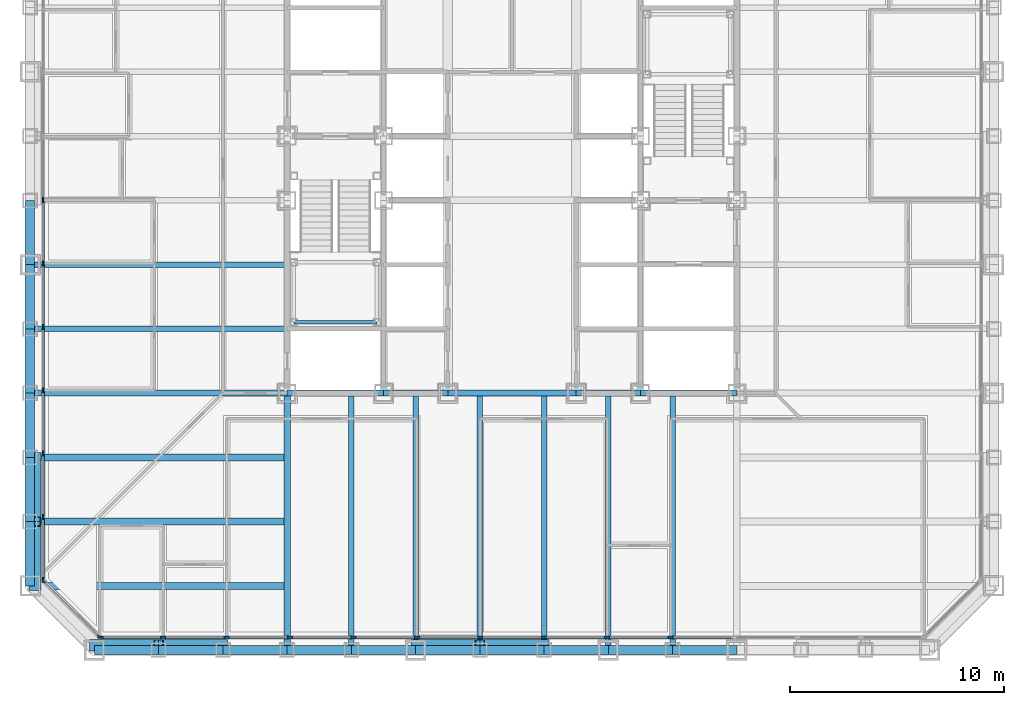
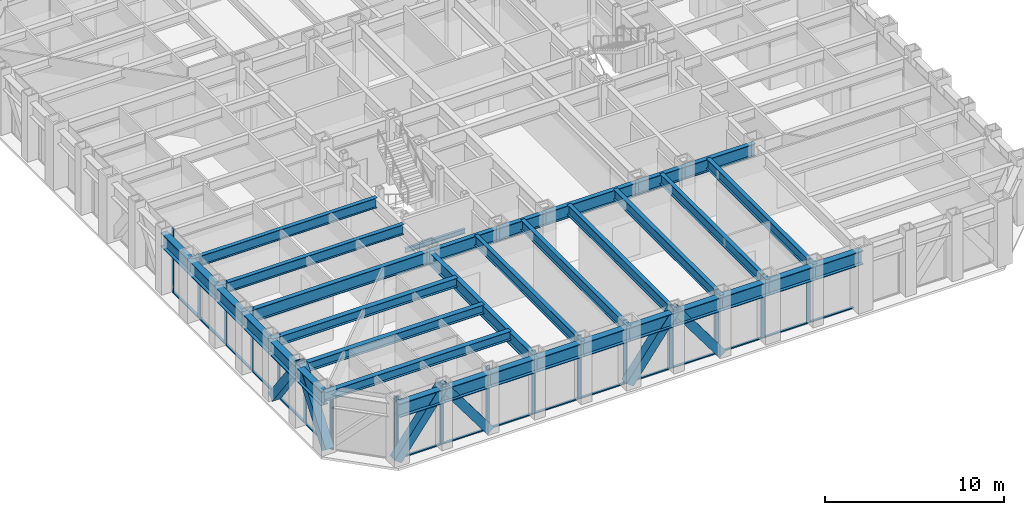
# One storey, part 2 of 17: 41 members, 35 beams, 3 elements without a shape of their own.
"""IFC4 building model written with IfcOpenShell, lengths in metres."""

from ifc_helpers import new_model, si_unit, direction, frame, origin, origin_2d, place, context, subcontext, project, spatial, rectangle, hollow_rectangle, i_section, extrude, material, layer, layer_set, material_profile, profile_set, type_object, element, aggregate, save


model = new_model("IFC4")

# Units and contexts
model_context = context("Model", 3, precision=1e-05, world=origin(), true_north=direction((0.0, 1.0)))
body_context = subcontext(model_context, "Body", "Model", "MODEL_VIEW")
ifc_project = project(units=[si_unit("LENGTHUNIT", "METRE"), si_unit("AREAUNIT", "SQUARE_METRE"), si_unit("VOLUMEUNIT", "CUBIC_METRE"), si_unit("PLANEANGLEUNIT", "RADIAN"), si_unit("MASSUNIT", "GRAM", prefix="KILO")], contexts=[model_context])

# Site, building, storey
site_placement = place(None, origin())
site = spatial("IfcSite", under=ifc_project, at=site_placement, CompositionType="ELEMENT")
building_placement = place(site_placement, origin())
building = spatial("IfcBuilding", under=site, at=building_placement, Name="Chuquiago Exchange Tower", CompositionType="ELEMENT")
storey_placement = place(building_placement, frame((0.0, 0.0, 64.800048828125)))
storey = spatial("IfcBuildingStorey", under=building, at=storey_placement, Name="L13", CompositionType="ELEMENT", Elevation=64.800048828125)

# Beams
ifc_material_1 = material(Name="Steel ASTM A992", Category="steel")
ifc_material_profile_1 = material_profile(ifc_material_1, i_section(OverallWidth=0.2919921875, OverallDepth=0.8583984375, WebThickness=0.01708984375, FlangeThickness=0.031005859375, at=origin_2d()), Name="W33X169")
ifc_profile_set_1 = profile_set([ifc_material_profile_1], Name="Steel ASTM A992")
beam_type_1 = type_object("IfcBeamType", Name="B3 W33X169", PredefinedType="BEAM", material=ifc_profile_set_1)
beam_1_placement = place(storey_placement, frame((12.0, 12.0, 3.610595703125), z_axis=(1.0, 0.0, 0.0), x_axis=(0.0, 1.0, 0.0)))
element("IfcBeam", 1, at=beam_1_placement, inside=storey, type_object=beam_type_1, Name="CB-L14-12_12-16.5_12", PredefinedType="BEAM", context=body_context, shape_type="SweptSolid", body=[
    extrude(i_section(OverallWidth=0.2919921875, OverallDepth=0.8583984375, WebThickness=0.01708984375, FlangeThickness=0.031005859375, at=origin_2d()), origin(), (0.0, 0.0, 1.0), 4.5),
])
beam_2_placement = place(storey_placement, frame((16.5, 12.0, 3.610595703125), z_axis=(1.0, 0.0, 0.0), x_axis=(0.0, 1.0, 0.0)))
element("IfcBeam", 2, at=beam_2_placement, inside=storey, type_object=beam_type_1, Name="CB-L14-16.5_12-19.5_12", PredefinedType="BEAM", context=body_context, shape_type="SweptSolid", body=[
    extrude(i_section(OverallWidth=0.2919921875, OverallDepth=0.8583984375, WebThickness=0.01708984375, FlangeThickness=0.031005859375, at=origin_2d()), origin(), (0.0, 0.0, 1.0), 3.0),
])
beam_3_placement = place(storey_placement, frame((19.5, 12.0, 3.610595703125), z_axis=(1.0, 0.0, 0.0), x_axis=(0.0, 1.0, 0.0)))
element("IfcBeam", 3, at=beam_3_placement, inside=storey, type_object=beam_type_1, Name="CB-L14-19.5_12-25.5_12", PredefinedType="BEAM", context=body_context, shape_type="SweptSolid", body=[
    extrude(i_section(OverallWidth=0.2919921875, OverallDepth=0.8583984375, WebThickness=0.01708984375, FlangeThickness=0.031005859375, at=origin_2d()), origin(), (0.0, 0.0, 1.0), 6.0),
])
beam_4_placement = place(storey_placement, frame((25.5, 12.0, 3.610595703125), z_axis=(1.0, 0.0, 0.0), x_axis=(0.0, 1.0, 0.0)))
element("IfcBeam", 4, at=beam_4_placement, inside=storey, type_object=beam_type_1, Name="CB-L14-25.5_12-28.5_12", PredefinedType="BEAM", context=body_context, shape_type="SweptSolid", body=[
    extrude(i_section(OverallWidth=0.2919921875, OverallDepth=0.8583984375, WebThickness=0.01708984375, FlangeThickness=0.031005859375, at=origin_2d()), origin(), (0.0, 0.0, 1.0), 3.0),
])
beam_5_placement = place(storey_placement, frame((28.5, 12.0, 3.610595703125), z_axis=(1.0, 0.0, 0.0), x_axis=(0.0, 1.0, 0.0)))
element("IfcBeam", 5, at=beam_5_placement, inside=storey, type_object=beam_type_1, Name="CB-L14-28.5_12-33_12", PredefinedType="BEAM", context=body_context, shape_type="SweptSolid", body=[
    extrude(i_section(OverallWidth=0.2919921875, OverallDepth=0.8583984375, WebThickness=0.01708984375, FlangeThickness=0.031005859375, at=origin_2d()), origin(), (0.0, 0.0, 1.0), 4.5),
])
ifc_material_2 = material(Name="Steel ASTM A992", Category="steel")
ifc_material_profile_2 = material_profile(ifc_material_2, i_section(OverallWidth=0.256591796875, OverallDepth=0.693359375, WebThickness=0.014404296875, FlangeThickness=0.023681640625, at=origin_2d()), Name="W27X114")
ifc_profile_set_2 = profile_set([ifc_material_profile_2], Name="Steel ASTM A992")
beam_type_2 = type_object("IfcBeamType", Name="B4 W27X114", PredefinedType="BEAM", material=ifc_profile_set_2)
for number, where, z_axis, x_axis, name in (
    (6, (15.0, 12.0, 3.693359375), (0.0, -1.0, 0.0), (1.0, 0.0, 0.0), "FB-L14-infill-15_12-15_-0-0"),
    (7, (18.0, 12.0, 3.693359375), (0.0, -1.0, 0.0), (1.0, 0.0, 0.0), "FB-L14-infill-18_12-18_-0-0"),
    (8, (21.0, 12.0, 3.693359375), (0.0, -1.0, 0.0), (1.0, 0.0, 0.0), "FB-L14-infill-21_12-21_-0-0"),
    (9, (24.0, 12.0, 3.693359375), (0.0, -1.0, 0.0), (1.0, 0.0, 0.0), "FB-L14-infill-24_12-24_-0-0"),
    (10, (27.0, 12.0, 3.693359375), (0.0, -1.0, 0.0), (1.0, 0.0, 0.0), "FB-L14-infill-27_12-27_-0-0"),
    (11, (30.0, 12.0, 3.693359375), (0.0, -1.0, 0.0), (1.0, 0.0, 0.0), "FB-L14-infill-30_12-30_-0-0"),
    (12, (12.0, 15.0, 3.693359375), (-1.0, 0.0, 0.0), (0.0, -1.0, 0.0), "FB-L14-infill-12_15--0_15-0"),
    (13, (12.0, 18.0, 3.693359375), (-1.0, 0.0, 0.0), (0.0, -1.0, 0.0), "FB-L14-infill-12_18--0_18-0"),
):
    element("IfcBeam", number, at=place(storey_placement, frame(where, z_axis=z_axis, x_axis=x_axis)), inside=storey, type_object=beam_type_2, Name=name, PredefinedType="BEAM", context=body_context, shape_type="SweptSolid", body=[
        extrude(i_section(OverallWidth=0.256591796875, OverallDepth=0.693359375, WebThickness=0.014404296875, FlangeThickness=0.023681640625, at=origin_2d()), origin(), (0.0, 0.0, 1.0), 12.0),
    ])
ifc_material_3 = material(Name="Steel ASTM A992", Category="steel")
ifc_material_profile_3 = material_profile(ifc_material_3, i_section(OverallWidth=0.3251953125, OverallDepth=0.6171875, WebThickness=0.013916015625, FlangeThickness=0.021484375, at=origin_2d()), Name="W24X117")
ifc_profile_set_3 = profile_set([ifc_material_profile_3], Name="Steel ASTM A992")
beam_type_3 = type_object("IfcBeamType", Name="B5 W24X117", PredefinedType="BEAM", material=ifc_profile_set_3)
for number, where, z_axis, x_axis, name in (
    (14, (12.0, 3.0, 3.7314453125), (-1.0, 0.0, 0.0), (0.0, -1.0, 0.0), "FB-L14-corner-12_3--0_3-0"),
    (15, (12.0, 6.0, 3.7314453125), (-1.0, 0.0, 0.0), (0.0, -1.0, 0.0), "FB-L14-corner-12_6--0_6-0"),
    (16, (12.0, 9.0, 3.7314453125), (-1.0, 0.0, 0.0), (0.0, -1.0, 0.0), "FB-L14-corner-12_9--0_9-0"),
):
    element("IfcBeam", number, at=place(storey_placement, frame(where, z_axis=z_axis, x_axis=x_axis)), inside=storey, type_object=beam_type_3, Name=name, PredefinedType="BEAM", context=body_context, shape_type="SweptSolid", body=[
        extrude(i_section(OverallWidth=0.3251953125, OverallDepth=0.6171875, WebThickness=0.013916015625, FlangeThickness=0.021484375, at=origin_2d()), origin(), (0.0, 0.0, 1.0), 12.0),
    ])

# Curtain wall, members
ifc_material_4 = material(Name="Aluminium curtain wall system", Category="aluminium")
ifc_layer_1 = layer(ifc_material_4, 0.25)
ifc_layer_set_1 = layer_set([ifc_layer_1], Name="CW1 trading floor curtain wall")
curtain_wall_type_1 = type_object("IfcCurtainWallType", Name="CW1 trading floor curtain wall", PredefinedType="NOTDEFINED", material=ifc_layer_set_1)
curtain_wall_1_placement = place(storey_placement, origin())
curtain_wall_1 = element("IfcCurtainWall", 17, at=curtain_wall_1_placement, inside=storey, type_object=curtain_wall_type_1, Name="CW1 curtain wall L13", PredefinedType="NOTDEFINED")
ifc_material_5 = material(Name="Aluminium mullion, pale anodised", Category="aluminium")
ifc_material_profile_4 = material_profile(ifc_material_5, rectangle(XDim=0.074951171875, YDim=0.25, at=origin_2d()), Name="AL 75x250")
ifc_profile_set_4 = profile_set([ifc_material_profile_4], Name="Aluminium mullion, pale anodised")
member_type_1 = type_object("IfcMemberType", Name="CW1-M mullion 75x250", PredefinedType="MULLION", material=ifc_profile_set_4)
member_1_placement = place(storey_placement, frame((3.285888671875, 0.60009765625, -0.300048828125), z_axis=(0.0, 0.0, 1.0), x_axis=(0.0, 1.0, 0.0)))
member_1 = element("IfcMember", 18, at=member_1_placement, type_object=member_type_1, Name="CW1 mullion 1", PredefinedType="MULLION", context=body_context, shape_type="SweptSolid", body=[
    extrude(rectangle(XDim=0.074951171875, YDim=0.25, at=origin_2d()), origin(), (0.0, 0.0, 1.0), 4.340087890625),
])
member_2_placement = place(storey_placement, frame((6.210205078125, 0.60009765625, -0.300048828125), z_axis=(0.0, 0.0, 1.0), x_axis=(0.0, 1.0, 0.0)))
member_2 = element("IfcMember", 19, at=member_2_placement, type_object=member_type_1, Name="CW1 mullion 2", PredefinedType="MULLION", context=body_context, shape_type="SweptSolid", body=[
    extrude(rectangle(XDim=0.074951171875, YDim=0.25, at=origin_2d()), origin(), (0.0, 0.0, 1.0), 4.340087890625),
])
member_3_placement = place(storey_placement, frame((9.172119140625, 0.60009765625, -0.300048828125), z_axis=(0.0, 0.0, 1.0), x_axis=(0.0, 1.0, 0.0)))
member_3 = element("IfcMember", 20, at=member_3_placement, type_object=member_type_1, Name="CW1 mullion 3", PredefinedType="MULLION", context=body_context, shape_type="SweptSolid", body=[
    extrude(rectangle(XDim=0.074951171875, YDim=0.25, at=origin_2d()), origin(), (0.0, 0.0, 1.0), 4.340087890625),
])
member_4_placement = place(storey_placement, frame((12.1337890625, 0.60009765625, -0.300048828125), z_axis=(0.0, 0.0, 1.0), x_axis=(0.0, 1.0, 0.0)))
member_4 = element("IfcMember", 21, at=member_4_placement, type_object=member_type_1, Name="CW1 mullion 4", PredefinedType="MULLION", context=body_context, shape_type="SweptSolid", body=[
    extrude(rectangle(XDim=0.074951171875, YDim=0.25, at=origin_2d()), origin(), (0.0, 0.0, 1.0), 4.340087890625),
])
member_5_placement = place(storey_placement, frame((15.095458984375, 0.60009765625, -0.300048828125), z_axis=(0.0, 0.0, 1.0), x_axis=(0.0, 1.0, 0.0)))
member_5 = element("IfcMember", 22, at=member_5_placement, type_object=member_type_1, Name="CW1 mullion 5", PredefinedType="MULLION", context=body_context, shape_type="SweptSolid", body=[
    extrude(rectangle(XDim=0.074951171875, YDim=0.25, at=origin_2d()), origin(), (0.0, 0.0, 1.0), 4.340087890625),
])
member_6_placement = place(storey_placement, frame((18.057373046875, 0.60009765625, -0.300048828125), z_axis=(0.0, 0.0, 1.0), x_axis=(0.0, 1.0, 0.0)))
member_6 = element("IfcMember", 23, at=member_6_placement, type_object=member_type_1, Name="CW1 mullion 6", PredefinedType="MULLION", context=body_context, shape_type="SweptSolid", body=[
    extrude(rectangle(XDim=0.074951171875, YDim=0.25, at=origin_2d()), origin(), (0.0, 0.0, 1.0), 4.340087890625),
])
member_7_placement = place(storey_placement, frame((21.01904296875, 0.60009765625, -0.300048828125), z_axis=(0.0, 0.0, 1.0), x_axis=(0.0, 1.0, 0.0)))
member_7 = element("IfcMember", 24, at=member_7_placement, type_object=member_type_1, Name="CW1 mullion 7", PredefinedType="MULLION", context=body_context, shape_type="SweptSolid", body=[
    extrude(rectangle(XDim=0.074951171875, YDim=0.25, at=origin_2d()), origin(), (0.0, 0.0, 1.0), 4.340087890625),
])
member_8_placement = place(storey_placement, frame((23.98095703125, 0.60009765625, -0.300048828125), z_axis=(0.0, 0.0, 1.0), x_axis=(0.0, 1.0, 0.0)))
member_8 = element("IfcMember", 25, at=member_8_placement, type_object=member_type_1, Name="CW1 mullion 8", PredefinedType="MULLION", context=body_context, shape_type="SweptSolid", body=[
    extrude(rectangle(XDim=0.074951171875, YDim=0.25, at=origin_2d()), origin(), (0.0, 0.0, 1.0), 4.340087890625),
])
member_9_placement = place(storey_placement, frame((26.942626953125, 0.60009765625, -0.300048828125), z_axis=(0.0, 0.0, 1.0), x_axis=(0.0, 1.0, 0.0)))
member_9 = element("IfcMember", 26, at=member_9_placement, type_object=member_type_1, Name="CW1 mullion 9", PredefinedType="MULLION", context=body_context, shape_type="SweptSolid", body=[
    extrude(rectangle(XDim=0.074951171875, YDim=0.25, at=origin_2d()), origin(), (0.0, 0.0, 1.0), 4.340087890625),
])
member_10_placement = place(storey_placement, frame((29.904541015625, 0.60009765625, -0.300048828125), z_axis=(0.0, 0.0, 1.0), x_axis=(0.0, 1.0, 0.0)))
member_10 = element("IfcMember", 27, at=member_10_placement, type_object=member_type_1, Name="CW1 mullion 10", PredefinedType="MULLION", context=body_context, shape_type="SweptSolid", body=[
    extrude(rectangle(XDim=0.074951171875, YDim=0.25, at=origin_2d()), origin(), (0.0, 0.0, 1.0), 4.340087890625),
])

curtain_wall_2_placement = place(storey_placement, origin())
curtain_wall_2 = element("IfcCurtainWall", 28, at=curtain_wall_2_placement, inside=storey, type_object=curtain_wall_type_1, Name="CW1 curtain wall L13", PredefinedType="NOTDEFINED")
member_11_placement = place(storey_placement, frame((0.60009765625, 21.01904296875, -0.300048828125), z_axis=(0.0, 0.0, 1.0), x_axis=(1.0, 0.0, 0.0)))
member_11 = element("IfcMember", 29, at=member_11_placement, type_object=member_type_1, Name="CW1 mullion 8", PredefinedType="MULLION", context=body_context, shape_type="SweptSolid", body=[
    extrude(rectangle(XDim=0.074951171875, YDim=0.25, at=origin_2d()), origin(), (0.0, 0.0, 1.0), 4.340087890625),
])
member_12_placement = place(storey_placement, frame((0.60009765625, 18.057373046875, -0.300048828125), z_axis=(0.0, 0.0, 1.0), x_axis=(1.0, 0.0, 0.0)))
member_12 = element("IfcMember", 30, at=member_12_placement, type_object=member_type_1, Name="CW1 mullion 9", PredefinedType="MULLION", context=body_context, shape_type="SweptSolid", body=[
    extrude(rectangle(XDim=0.074951171875, YDim=0.25, at=origin_2d()), origin(), (0.0, 0.0, 1.0), 4.340087890625),
])
member_13_placement = place(storey_placement, frame((0.60009765625, 15.095458984375, -0.300048828125), z_axis=(0.0, 0.0, 1.0), x_axis=(1.0, 0.0, 0.0)))
member_13 = element("IfcMember", 31, at=member_13_placement, type_object=member_type_1, Name="CW1 mullion 10", PredefinedType="MULLION", context=body_context, shape_type="SweptSolid", body=[
    extrude(rectangle(XDim=0.074951171875, YDim=0.25, at=origin_2d()), origin(), (0.0, 0.0, 1.0), 4.340087890625),
])
member_14_placement = place(storey_placement, frame((0.60009765625, 12.1337890625, -0.300048828125), z_axis=(0.0, 0.0, 1.0), x_axis=(1.0, 0.0, 0.0)))
member_14 = element("IfcMember", 32, at=member_14_placement, type_object=member_type_1, Name="CW1 mullion 11", PredefinedType="MULLION", context=body_context, shape_type="SweptSolid", body=[
    extrude(rectangle(XDim=0.074951171875, YDim=0.25, at=origin_2d()), origin(), (0.0, 0.0, 1.0), 4.340087890625),
])
member_15_placement = place(storey_placement, frame((0.60009765625, 9.172119140625, -0.300048828125), z_axis=(0.0, 0.0, 1.0), x_axis=(1.0, 0.0, 0.0)))
member_15 = element("IfcMember", 33, at=member_15_placement, type_object=member_type_1, Name="CW1 mullion 12", PredefinedType="MULLION", context=body_context, shape_type="SweptSolid", body=[
    extrude(rectangle(XDim=0.074951171875, YDim=0.25, at=origin_2d()), origin(), (0.0, 0.0, 1.0), 4.340087890625),
])
member_16_placement = place(storey_placement, frame((0.60009765625, 6.210205078125, -0.300048828125), z_axis=(0.0, 0.0, 1.0), x_axis=(1.0, 0.0, 0.0)))
member_16 = element("IfcMember", 34, at=member_16_placement, type_object=member_type_1, Name="CW1 mullion 13", PredefinedType="MULLION", context=body_context, shape_type="SweptSolid", body=[
    extrude(rectangle(XDim=0.074951171875, YDim=0.25, at=origin_2d()), origin(), (0.0, 0.0, 1.0), 4.340087890625),
])
member_17_placement = place(storey_placement, frame((0.60009765625, 3.285888671875, -0.300048828125), z_axis=(0.0, 0.0, 1.0), x_axis=(1.0, 0.0, 0.0)))
member_17 = element("IfcMember", 35, at=member_17_placement, type_object=member_type_1, Name="CW1 mullion 14", PredefinedType="MULLION", context=body_context, shape_type="SweptSolid", body=[
    extrude(rectangle(XDim=0.074951171875, YDim=0.25, at=origin_2d()), origin(), (0.0, 0.0, 1.0), 4.340087890625),
])

# Member
ifc_material_6 = material(Name="Aluminium transom, pale anodised", Category="aluminium")
ifc_material_profile_5 = material_profile(ifc_material_6, rectangle(XDim=0.14990234375, YDim=0.074951171875, at=origin_2d()), Name="AL 150x75")
ifc_profile_set_5 = profile_set([ifc_material_profile_5], Name="Aluminium transom, pale anodised")
member_type_2 = type_object("IfcMemberType", Name="CW1-T transom 75x150", PredefinedType="MULLION", material=ifc_profile_set_5)
member_18_placement = place(storey_placement, frame((3.323486328125, 0.60009765625, -0.262451171875), z_axis=(1.0, 0.0, 0.0), x_axis=(0.0, 1.0, 0.0)))
member_18 = element("IfcMember", 36, at=member_18_placement, type_object=member_type_2, Name="CW1 transom 1.1", PredefinedType="MULLION", context=body_context, shape_type="SweptSolid", body=[
    extrude(rectangle(XDim=0.14990234375, YDim=0.074951171875, at=origin_2d()), origin(), (0.0, 0.0, 1.0), 2.849365234375),
])

member_19_placement = place(storey_placement, frame((6.247802734375, 0.60009765625, -0.262451171875), z_axis=(1.0, 0.0, 0.0), x_axis=(0.0, 1.0, 0.0)))
member_19 = element("IfcMember", 37, at=member_19_placement, type_object=member_type_2, Name="CW1 transom 2.1", PredefinedType="MULLION", context=body_context, shape_type="SweptSolid", body=[
    extrude(rectangle(XDim=0.14990234375, YDim=0.074951171875, at=origin_2d()), origin(), (0.0, 0.0, 1.0), 2.88671875),
])

member_20_placement = place(storey_placement, frame((9.20947265625, 0.60009765625, -0.262451171875), z_axis=(1.0, 0.0, 0.0), x_axis=(0.0, 1.0, 0.0)))
member_20 = element("IfcMember", 38, at=member_20_placement, type_object=member_type_2, Name="CW1 transom 3.1", PredefinedType="MULLION", context=body_context, shape_type="SweptSolid", body=[
    extrude(rectangle(XDim=0.14990234375, YDim=0.074951171875, at=origin_2d()), origin(), (0.0, 0.0, 1.0), 2.88671875),
])

member_21_placement = place(storey_placement, frame((12.17138671875, 0.60009765625, -0.262451171875), z_axis=(1.0, 0.0, 0.0), x_axis=(0.0, 1.0, 0.0)))
member_21 = element("IfcMember", 39, at=member_21_placement, type_object=member_type_2, Name="CW1 transom 4.1", PredefinedType="MULLION", context=body_context, shape_type="SweptSolid", body=[
    extrude(rectangle(XDim=0.14990234375, YDim=0.074951171875, at=origin_2d()), origin(), (0.0, 0.0, 1.0), 2.88671875),
])

member_22_placement = place(storey_placement, frame((15.133056640625, 0.60009765625, -0.262451171875), z_axis=(1.0, 0.0, 0.0), x_axis=(0.0, 1.0, 0.0)))
member_22 = element("IfcMember", 40, at=member_22_placement, type_object=member_type_2, Name="CW1 transom 5.1", PredefinedType="MULLION", context=body_context, shape_type="SweptSolid", body=[
    extrude(rectangle(XDim=0.14990234375, YDim=0.074951171875, at=origin_2d()), origin(), (0.0, 0.0, 1.0), 2.88671875),
])

member_23_placement = place(storey_placement, frame((18.0947265625, 0.60009765625, -0.262451171875), z_axis=(1.0, 0.0, 0.0), x_axis=(0.0, 1.0, 0.0)))
member_23 = element("IfcMember", 41, at=member_23_placement, type_object=member_type_2, Name="CW1 transom 6.1", PredefinedType="MULLION", context=body_context, shape_type="SweptSolid", body=[
    extrude(rectangle(XDim=0.14990234375, YDim=0.074951171875, at=origin_2d()), origin(), (0.0, 0.0, 1.0), 2.886962890625),
])

member_24_placement = place(storey_placement, frame((21.056640625, 0.60009765625, -0.262451171875), z_axis=(1.0, 0.0, 0.0), x_axis=(0.0, 1.0, 0.0)))
member_24 = element("IfcMember", 42, at=member_24_placement, type_object=member_type_2, Name="CW1 transom 7.1", PredefinedType="MULLION", context=body_context, shape_type="SweptSolid", body=[
    extrude(rectangle(XDim=0.14990234375, YDim=0.074951171875, at=origin_2d()), origin(), (0.0, 0.0, 1.0), 2.88671875),
])

member_25_placement = place(storey_placement, frame((24.018310546875, 0.60009765625, -0.262451171875), z_axis=(1.0, 0.0, 0.0), x_axis=(0.0, 1.0, 0.0)))
member_25 = element("IfcMember", 43, at=member_25_placement, type_object=member_type_2, Name="CW1 transom 8.1", PredefinedType="MULLION", context=body_context, shape_type="SweptSolid", body=[
    extrude(rectangle(XDim=0.14990234375, YDim=0.074951171875, at=origin_2d()), origin(), (0.0, 0.0, 1.0), 2.886962890625),
])

member_26_placement = place(storey_placement, frame((26.980224609375, 0.60009765625, -0.262451171875), z_axis=(1.0, 0.0, 0.0), x_axis=(0.0, 1.0, 0.0)))
member_26 = element("IfcMember", 44, at=member_26_placement, type_object=member_type_2, Name="CW1 transom 9.1", PredefinedType="MULLION", context=body_context, shape_type="SweptSolid", body=[
    extrude(rectangle(XDim=0.14990234375, YDim=0.074951171875, at=origin_2d()), origin(), (0.0, 0.0, 1.0), 2.88671875),
])

member_27_placement = place(storey_placement, frame((29.94189453125, 0.60009765625, -0.262451171875), z_axis=(1.0, 0.0, 0.0), x_axis=(0.0, 1.0, 0.0)))
member_27 = element("IfcMember", 45, at=member_27_placement, type_object=member_type_2, Name="CW1 transom 10.1", PredefinedType="MULLION", context=body_context, shape_type="SweptSolid", body=[
    extrude(rectangle(XDim=0.14990234375, YDim=0.074951171875, at=origin_2d()), origin(), (0.0, 0.0, 1.0), 2.88671875),
])

aggregate(curtain_wall_1, [member_1, member_2, member_3, member_4, member_5, member_6, member_7, member_8, member_9, member_10, member_18, member_19, member_20, member_21, member_22, member_23, member_24, member_25, member_26, member_27])

member_28_placement = place(storey_placement, frame((0.60009765625, 20.981689453125, -0.262451171875), z_axis=(0.0, -1.0, 0.0), x_axis=(1.0, 0.0, 0.0)))
member_28 = element("IfcMember", 46, at=member_28_placement, type_object=member_type_2, Name="CW1 transom 8.1", PredefinedType="MULLION", context=body_context, shape_type="SweptSolid", body=[
    extrude(rectangle(XDim=0.14990234375, YDim=0.074951171875, at=origin_2d()), origin(), (0.0, 0.0, 1.0), 2.886962890625),
])

member_29_placement = place(storey_placement, frame((0.60009765625, 18.019775390625, -0.262451171875), z_axis=(0.0, -1.0, 0.0), x_axis=(1.0, 0.0, 0.0)))
member_29 = element("IfcMember", 47, at=member_29_placement, type_object=member_type_2, Name="CW1 transom 9.1", PredefinedType="MULLION", context=body_context, shape_type="SweptSolid", body=[
    extrude(rectangle(XDim=0.14990234375, YDim=0.074951171875, at=origin_2d()), origin(), (0.0, 0.0, 1.0), 2.88671875),
])

member_30_placement = place(storey_placement, frame((0.60009765625, 15.05810546875, -0.262451171875), z_axis=(0.0, -1.0, 0.0), x_axis=(1.0, 0.0, 0.0)))
member_30 = element("IfcMember", 48, at=member_30_placement, type_object=member_type_2, Name="CW1 transom 10.1", PredefinedType="MULLION", context=body_context, shape_type="SweptSolid", body=[
    extrude(rectangle(XDim=0.14990234375, YDim=0.074951171875, at=origin_2d()), origin(), (0.0, 0.0, 1.0), 2.88671875),
])

member_31_placement = place(storey_placement, frame((0.60009765625, 12.09619140625, -0.262451171875), z_axis=(0.0, -1.0, 0.0), x_axis=(1.0, 0.0, 0.0)))
member_31 = element("IfcMember", 49, at=member_31_placement, type_object=member_type_2, Name="CW1 transom 11.1", PredefinedType="MULLION", context=body_context, shape_type="SweptSolid", body=[
    extrude(rectangle(XDim=0.14990234375, YDim=0.074951171875, at=origin_2d()), origin(), (0.0, 0.0, 1.0), 2.88671875),
])

member_32_placement = place(storey_placement, frame((0.60009765625, 9.134521484375, -0.262451171875), z_axis=(0.0, -1.0, 0.0), x_axis=(1.0, 0.0, 0.0)))
member_32 = element("IfcMember", 50, at=member_32_placement, type_object=member_type_2, Name="CW1 transom 12.1", PredefinedType="MULLION", context=body_context, shape_type="SweptSolid", body=[
    extrude(rectangle(XDim=0.14990234375, YDim=0.074951171875, at=origin_2d()), origin(), (0.0, 0.0, 1.0), 2.88671875),
])

member_33_placement = place(storey_placement, frame((0.60009765625, 6.1728515625, -0.262451171875), z_axis=(0.0, -1.0, 0.0), x_axis=(1.0, 0.0, 0.0)))
member_33 = element("IfcMember", 51, at=member_33_placement, type_object=member_type_2, Name="CW1 transom 13.1", PredefinedType="MULLION", context=body_context, shape_type="SweptSolid", body=[
    extrude(rectangle(XDim=0.14990234375, YDim=0.074951171875, at=origin_2d()), origin(), (0.0, 0.0, 1.0), 2.849365234375),
])

aggregate(curtain_wall_2, [member_11, member_12, member_13, member_14, member_15, member_16, member_17, member_28, member_29, member_30, member_31, member_32, member_33])

# Curtain wall, members
ifc_material_7 = material(Name="Aluminium curtain wall system", Category="aluminium")
ifc_layer_2 = layer(ifc_material_7, 0.199951171875)
ifc_layer_set_2 = layer_set([ifc_layer_2], Name="CW3 facet curtain wall")
curtain_wall_type_2 = type_object("IfcCurtainWallType", Name="CW3 facet curtain wall", PredefinedType="NOTDEFINED", material=ifc_layer_set_2)
curtain_wall_3_placement = place(storey_placement, origin())
curtain_wall_3 = element("IfcCurtainWall", 52, at=curtain_wall_3_placement, inside=storey, type_object=curtain_wall_type_2, Name="CW3 curtain wall L13", PredefinedType="NOTDEFINED")
ifc_material_8 = material(Name="Aluminium mullion, pale anodised", Category="aluminium")
ifc_material_profile_6 = material_profile(ifc_material_8, rectangle(XDim=0.06494140625, YDim=0.199951171875, at=origin_2d()), Name="AL 65x200")
ifc_profile_set_6 = profile_set([ifc_material_profile_6], Name="Aluminium mullion, pale anodised")
member_type_3 = type_object("IfcMemberType", Name="CW3-M mullion 65x200", PredefinedType="MULLION", material=ifc_profile_set_6)
member_34_placement = place(storey_placement, frame((0.623046875, 3.2255859375, -0.300048828125), z_axis=(0.0, 0.0, 1.0), x_axis=(0.707106781187, 0.707106781187, 0.0)))
member_34 = element("IfcMember", 53, at=member_34_placement, type_object=member_type_3, Name="CW3 mullion 1", PredefinedType="MULLION", context=body_context, shape_type="SweptSolid", body=[
    extrude(rectangle(XDim=0.06494140625, YDim=0.199951171875, at=origin_2d()), origin(), (0.0, 0.0, 1.0), 4.340087890625),
])
member_35_placement = place(storey_placement, frame((3.2255859375, 0.623046875, -0.300048828125), z_axis=(0.0, 0.0, 1.0), x_axis=(0.707106781187, 0.707106781187, 0.0)))
member_35 = element("IfcMember", 54, at=member_35_placement, type_object=member_type_3, Name="CW3 mullion 2", PredefinedType="MULLION", context=body_context, shape_type="SweptSolid", body=[
    extrude(rectangle(XDim=0.06494140625, YDim=0.199951171875, at=origin_2d()), origin(), (0.0, 0.0, 1.0), 4.340087890625),
])
aggregate(curtain_wall_3, [member_34, member_35])

# Beams
ifc_material_9 = material(Name="Steel ASTM A992", Category="steel")
ifc_material_profile_7 = material_profile(ifc_material_9, i_section(OverallWidth=0.2919921875, OverallDepth=0.8583984375, WebThickness=0.01708984375, FlangeThickness=0.031005859375, at=origin_2d()), Name="W33X169")
ifc_profile_set_7 = profile_set([ifc_material_profile_7], Name="Steel ASTM A992")
beam_type_4 = type_object("IfcBeamType", Name="G2 W33X169", PredefinedType="BEAM", material=ifc_profile_set_7)
for number, where, z_axis, x_axis, name in (
    (55, (12.0, 12.0, 3.610595703125), (0.0, -1.0, 0.0), (1.0, 0.0, 0.0), "FB-L14-girder-12_12-12_-0-0"),
    (56, (12.0, 12.0, 3.610595703125), (-1.0, 0.0, 0.0), (0.0, -1.0, 0.0), "FB-L14-girder-12_12--0_12-0"),
):
    element("IfcBeam", number, at=place(storey_placement, frame(where, z_axis=z_axis, x_axis=x_axis)), inside=storey, type_object=beam_type_4, Name=name, PredefinedType="BEAM", context=body_context, shape_type="SweptSolid", body=[
        extrude(i_section(OverallWidth=0.2919921875, OverallDepth=0.8583984375, WebThickness=0.01708984375, FlangeThickness=0.031005859375, at=origin_2d()), origin(), (0.0, 0.0, 1.0), 12.0),
    ])
ifc_material_10 = material(Name="Steel ASTM A992", Category="steel")
ifc_material_profile_8 = material_profile(ifc_material_10, i_section(OverallWidth=0.164794921875, OverallDepth=0.309814453125, WebThickness=0.005859375, FlangeThickness=0.009765625, at=origin_2d()), Name="W12X26")
ifc_profile_set_8 = profile_set([ifc_material_profile_8], Name="Steel ASTM A992")
beam_type_5 = type_object("IfcBeamType", Name="LT1 W12X26", PredefinedType="BEAM", material=ifc_profile_set_8)
beam_6_placement = place(storey_placement, frame((12.31005859375, 15.31005859375, 1.89501953125), z_axis=(1.0, 0.0, 0.0), x_axis=(0.0, 1.0, 0.0)))
element("IfcBeam", 57, at=beam_6_placement, inside=storey, type_object=beam_type_5, Name="Stair ST1 L13 landing 1 trimmer", PredefinedType="BEAM", context=body_context, shape_type="SweptSolid", body=[
    extrude(i_section(OverallWidth=0.164794921875, OverallDepth=0.309814453125, WebThickness=0.005859375, FlangeThickness=0.009765625, at=origin_2d()), origin(), (0.0, 0.0, 1.0), 3.8798828125),
])

# Members
ifc_material_11 = material(Name="Steel ASTM A572 Grade 50", Category="steel")
ifc_material_profile_9 = material_profile(ifc_material_11, hollow_rectangle(XDim=0.550048828125, YDim=0.550048828125, WallThickness=0.044921875, at=origin_2d()), Name="BOX550X550X45")
ifc_profile_set_9 = profile_set([ifc_material_profile_9], Name="Steel ASTM A572 Grade 50")
member_type_4 = type_object("IfcMemberType", Name="MB1 BOX550X550X45", PredefinedType="BRACE", material=ifc_profile_set_9)
for number, where, z_axis, x_axis, name in (
    (58, (3.0, 0.22998046875, 0.0), (0.596173923302, 0.0, 0.802855312728), (0.0, 1.0, 0.0), "Mega diagonal L13 S face"),
    (59, (9.0, 0.22998046875, 0.0), (-0.596173923302, 0.0, 0.802855312728), (0.0, -1.0, 0.0), "Mega diagonal L13 S face"),
    (60, (18.0, 0.22998046875, 0.0), (0.596173923302, 0.0, 0.802855312728), (0.0, 1.0, 0.0), "Mega diagonal L13 S face"),
    (61, (24.0, 0.22998046875, 0.0), (-0.596173923302, 0.0, 0.802855312728), (0.0, -1.0, 0.0), "Mega diagonal L13 S face"),
    (62, (0.22998046875, 9.0, 0.0), (0.0, -0.596173923302, 0.802855312728), (1.0, 0.0, 0.0), "Mega diagonal L13 W face"),
    (63, (0.22998046875, 3.0, 0.0), (0.0, 0.596173923302, 0.802855312728), (-1.0, 0.0, 0.0), "Mega diagonal L13 W face"),
):
    element("IfcMember", number, at=place(storey_placement, frame(where, z_axis=z_axis, x_axis=x_axis)), inside=storey, type_object=member_type_4, Name=name, PredefinedType="BRACE", context=body_context, shape_type="SweptSolid", body=[
        extrude(hollow_rectangle(XDim=0.550048828125, YDim=0.550048828125, WallThickness=0.044921875, at=origin_2d()), origin(), (0.0, 0.0, 1.0), 5.031982421875),
    ])

# Beams
ifc_material_12 = material(Name="Steel ASTM A992", Category="steel")
ifc_material_profile_10 = material_profile(ifc_material_12, i_section(OverallWidth=0.424072265625, OverallDepth=0.947509765625, WebThickness=0.02392578125, FlangeThickness=0.042724609375, at=origin_2d()), Name="W36X302")
ifc_profile_set_10 = profile_set([ifc_material_profile_10], Name="Steel ASTM A992")
beam_type_6 = type_object("IfcBeamType", Name="SP1 W36X302", PredefinedType="SPANDREL", material=ifc_profile_set_10)
for number, where, z_axis, x_axis, name in (
    (64, (3.0, 0.0, 3.566162109375), (1.0, 0.0, 0.0), (0.0, 1.0, 0.0), "SPB-L14-3_0-6_0"),
    (65, (6.0, 0.0, 3.566162109375), (1.0, 0.0, 0.0), (0.0, 1.0, 0.0), "SPB-L14-6_0-9_0"),
    (66, (9.0, 0.0, 3.566162109375), (1.0, 0.0, 0.0), (0.0, 1.0, 0.0), "SPB-L14-9_0-12_0"),
    (67, (12.0, 0.0, 3.566162109375), (1.0, 0.0, 0.0), (0.0, 1.0, 0.0), "SPB-L14-12_0-15_0"),
    (68, (15.0, 0.0, 3.566162109375), (1.0, 0.0, 0.0), (0.0, 1.0, 0.0), "SPB-L14-15_0-18_0"),
    (69, (18.0, 0.0, 3.566162109375), (1.0, 0.0, 0.0), (0.0, 1.0, 0.0), "SPB-L14-18_0-21_0"),
    (70, (21.0, 0.0, 3.566162109375), (1.0, 0.0, 0.0), (0.0, 1.0, 0.0), "SPB-L14-21_0-24_0"),
    (71, (24.0, 0.0, 3.566162109375), (1.0, 0.0, 0.0), (0.0, 1.0, 0.0), "SPB-L14-24_0-27_0"),
    (72, (27.0, 0.0, 3.566162109375), (1.0, 0.0, 0.0), (0.0, 1.0, 0.0), "SPB-L14-27_0-30_0"),
    (73, (30.0, 0.0, 3.566162109375), (1.0, 0.0, 0.0), (0.0, 1.0, 0.0), "SPB-L14-30_0-33_0"),
    (74, (0.0, 21.0, 3.566162109375), (0.0, -1.0, 0.0), (1.0, 0.0, 0.0), "SPB-L14-0_21-0_18"),
    (75, (0.0, 18.0, 3.566162109375), (0.0, -1.0, 0.0), (1.0, 0.0, 0.0), "SPB-L14-0_18-0_15"),
    (76, (0.0, 15.0, 3.566162109375), (0.0, -1.0, 0.0), (1.0, 0.0, 0.0), "SPB-L14-0_15-0_12"),
    (77, (0.0, 12.0, 3.566162109375), (0.0, -1.0, 0.0), (1.0, 0.0, 0.0), "SPB-L14-0_12-0_9"),
    (78, (0.0, 9.0, 3.566162109375), (0.0, -1.0, 0.0), (1.0, 0.0, 0.0), "SPB-L14-0_9-0_6"),
    (79, (0.0, 6.0, 3.566162109375), (0.0, -1.0, 0.0), (1.0, 0.0, 0.0), "SPB-L14-0_6-0_3"),
):
    element("IfcBeam", number, at=place(storey_placement, frame(where, z_axis=z_axis, x_axis=x_axis)), inside=storey, type_object=beam_type_6, Name=name, PredefinedType="SPANDREL", context=body_context, shape_type="SweptSolid", body=[
        extrude(i_section(OverallWidth=0.424072265625, OverallDepth=0.947509765625, WebThickness=0.02392578125, FlangeThickness=0.042724609375, at=origin_2d()), origin(), (0.0, 0.0, 1.0), 3.0),
    ])

save(model, "model.ifc")
